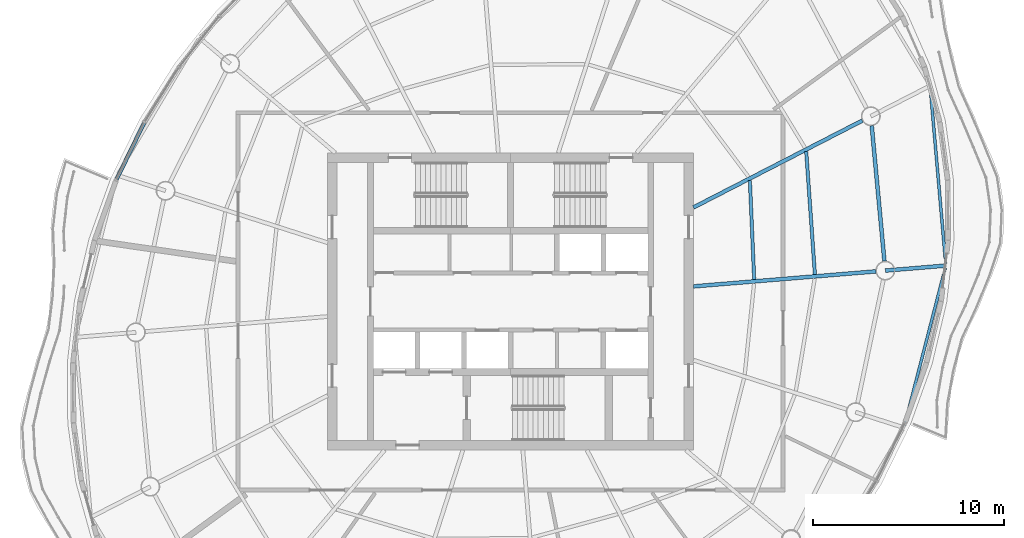
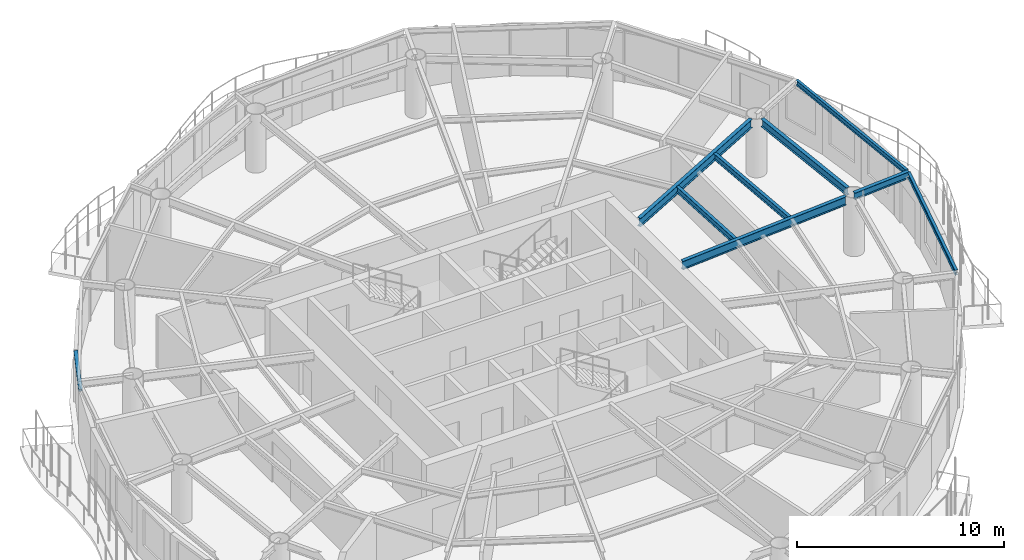
# One storey, part 4 of 14: 8 beams, 1 member, 1 element without a shape of its own.
"""IFC4 building model written with IfcOpenShell, lengths in metres."""

from ifc_helpers import new_model, si_unit, direction, frame, origin, origin_2d, place, context, subcontext, project, spatial, rectangle, i_section, extrude, material, material_profile, profile_set, type_object, element, aggregate, save


model = new_model("IFC4")

# Units and contexts
model_context = context("Model", 3, precision=1e-05, world=origin(), true_north=direction((0.0, 1.0)))
body_context = subcontext(model_context, "Body", "Model", "MODEL_VIEW")
ifc_project = project(units=[si_unit("LENGTHUNIT", "METRE"), si_unit("AREAUNIT", "SQUARE_METRE"), si_unit("VOLUMEUNIT", "CUBIC_METRE"), si_unit("PLANEANGLEUNIT", "RADIAN"), si_unit("MASSUNIT", "GRAM", prefix="KILO")], contexts=[model_context])

# Site, building, storey
site_placement = place(None, origin())
site = spatial("IfcSite", under=ifc_project, at=site_placement, CompositionType="ELEMENT")
building_placement = place(site_placement, origin())
building = spatial("IfcBuilding", under=site, at=building_placement, Name="Vermilion Reach Broadcast Tower", CompositionType="ELEMENT")
storey_placement = place(building_placement, frame((0.0, 0.0, 254.10009765625)))
storey = spatial("IfcBuildingStorey", under=building, at=storey_placement, Name="L62", CompositionType="ELEMENT", Elevation=254.10009765625)

# Beams
ifc_material_1 = material(Name="Steel S355J2", Category="steel")
ifc_material_profile_1 = material_profile(ifc_material_1, i_section(OverallWidth=0.14990234375, OverallDepth=0.300048828125, WebThickness=0.006591796875, FlangeThickness=0.009033203125, at=origin_2d()), Name="S355J2 HN 300x150x6.5x9")
ifc_profile_set_1 = profile_set([ifc_material_profile_1], Name="Steel S355J2")
beam_type_1 = type_object("IfcBeamType", Name="EB5 HN 300x150x6.5x9", PredefinedType="BEAM", material=ifc_profile_set_1)
beam_1_placement = place(storey_placement, frame((14.669189453125, -6.527099609375, 3.2998046875), z_axis=(0.250374544751, 0.968149052234, 0.0), x_axis=(-0.968149052234, 0.250374544751, 0.0)))
element("IfcBeam", 1, at=beam_1_placement, inside=storey, type_object=beam_type_1, Name="Edge beam EB5-13", PredefinedType="BEAM", context=body_context, shape_type="SweptSolid", body=[
    extrude(i_section(OverallWidth=0.14990234375, OverallDepth=0.300048828125, WebThickness=0.006591796875, FlangeThickness=0.009033203125, at=origin_2d()), origin(), (0.0, 0.0, 1.0), 8.579833984375),
])
beam_2_placement = place(storey_placement, frame((16.835205078125, 1.981689453125, 3.2998046875), z_axis=(-0.087425492139, 0.996171061276, 0.0), x_axis=(-0.996171061276, -0.087425492139, 0.0)))
element("IfcBeam", 2, at=beam_2_placement, inside=storey, type_object=beam_type_1, Name="Edge beam EB5-14", PredefinedType="BEAM", context=body_context, shape_type="SweptSolid", body=[
    extrude(i_section(OverallWidth=0.14990234375, OverallDepth=0.300048828125, WebThickness=0.006591796875, FlangeThickness=0.009033203125, at=origin_2d()), origin(), (0.0, 0.0, 1.0), 9.265625),
])
ifc_material_2 = material(Name="Steel S355J2", Category="steel")
ifc_material_profile_2 = material_profile(ifc_material_2, i_section(OverallWidth=0.199951171875, OverallDepth=0.5, WebThickness=0.010009765625, FlangeThickness=0.01611328125, at=origin_2d()), Name="S355J2 HN 500x200x10x16")
ifc_profile_set_2 = profile_set([ifc_material_profile_2], Name="Steel S355J2")
beam_type_2 = type_object("IfcBeamType", Name="G5 HN 500x200x10x16", PredefinedType="BEAM", material=ifc_profile_set_2)
beam_3_placement = place(storey_placement, frame((3.60009765625, 0.791015625, 3.199951171875), z_axis=(0.996624410075, 0.082096195058, 0.0), x_axis=(-0.082096195058, 0.996624410075, 0.0)))
element("IfcBeam", 3, at=beam_3_placement, inside=storey, type_object=beam_type_2, Name="Girder G5-14", PredefinedType="BEAM", context=body_context, shape_type="SweptSolid", body=[
    extrude(i_section(OverallWidth=0.199951171875, OverallDepth=0.5, WebThickness=0.010009765625, FlangeThickness=0.01611328125, at=origin_2d()), origin(), (0.0, 0.0, 1.0), 9.599609375),
])
beam_4_placement = place(storey_placement, frame((3.60009765625, 4.935791015625, 3.199951171875), z_axis=(0.889332502449, 0.457261085254, 0.0), x_axis=(-0.457261085254, 0.889332502449, 0.0)))
element("IfcBeam", 4, at=beam_4_placement, inside=storey, type_object=beam_type_2, Name="Girder G5-15", PredefinedType="BEAM", context=body_context, shape_type="SweptSolid", body=[
    extrude(i_section(OverallWidth=0.199951171875, OverallDepth=0.5, WebThickness=0.010009765625, FlangeThickness=0.01611328125, at=origin_2d()), origin(), (0.0, 0.0, 1.0), 9.96337890625),
])
ifc_material_3 = material(Name="Steel S355J2", Category="steel")
ifc_material_profile_3 = material_profile(ifc_material_3, i_section(OverallWidth=0.199951171875, OverallDepth=0.39990234375, WebThickness=0.008056640625, FlangeThickness=0.012939453125, at=origin_2d()), Name="S355J2 HN 400x200x8x13")
ifc_profile_set_3 = profile_set([ifc_material_profile_3], Name="Steel S355J2")
beam_type_3 = type_object("IfcBeamType", Name="GC5 HN 400x200x8x13", PredefinedType="BEAM", material=ifc_profile_set_3)
beam_5_placement = place(storey_placement, frame((13.665771484375, 1.620361328125, 3.25), z_axis=(0.996626590018, 0.082069726878, 0.0), x_axis=(-0.082069726878, 0.996626590018, 0.0)))
element("IfcBeam", 5, at=beam_5_placement, inside=storey, type_object=beam_type_3, Name="Cantilever girder GC5-14", PredefinedType="BEAM", context=body_context, shape_type="SweptSolid", body=[
    extrude(i_section(OverallWidth=0.199951171875, OverallDepth=0.39990234375, WebThickness=0.008056640625, FlangeThickness=0.012939453125, at=origin_2d()), origin(), (0.0, 0.0, 1.0), 3.18896484375),
])
ifc_material_4 = material(Name="Steel S355J2", Category="steel")
ifc_material_profile_4 = material_profile(ifc_material_4, i_section(OverallWidth=0.199951171875, OverallDepth=0.449951171875, WebThickness=0.009033203125, FlangeThickness=0.013916015625, at=origin_2d()), Name="S355J2 HN 450x200x9x14")
ifc_profile_set_4 = profile_set([ifc_material_profile_4], Name="Steel S355J2")
beam_type_4 = type_object("IfcBeamType", Name="RB5 HN 450x200x9x14", PredefinedType="BEAM", material=ifc_profile_set_4)
beam_6_placement = place(storey_placement, frame((13.618896484375, 2.1181640625, 3.224853515625), z_axis=(-0.093441399272, 0.995624781181, 0.0), x_axis=(-0.995624781181, -0.093441399272, 0.0)))
element("IfcBeam", 6, at=beam_6_placement, inside=storey, type_object=beam_type_4, Name="Ring beam RB5-14", PredefinedType="BEAM", context=body_context, shape_type="SweptSolid", body=[
    extrude(i_section(OverallWidth=0.199951171875, OverallDepth=0.449951171875, WebThickness=0.009033203125, FlangeThickness=0.013916015625, at=origin_2d()), origin(), (0.0, 0.0, 1.0), 7.135498046875),
])
ifc_material_5 = material(Name="Steel S355J2", Category="steel")
ifc_material_profile_5 = material_profile(ifc_material_5, i_section(OverallWidth=0.175048828125, OverallDepth=0.35009765625, WebThickness=0.007080078125, FlangeThickness=0.010986328125, at=origin_2d()), Name="S355J2 HN 350x175x7x11")
ifc_profile_set_5 = profile_set([ifc_material_profile_5], Name="Steel S355J2")
beam_type_5 = type_object("IfcBeamType", Name="SB5 HN 350x175x7x11", PredefinedType="BEAM", material=ifc_profile_set_5)
beam_7_placement = place(storey_placement, frame((6.78466796875, 1.153564453125, 3.27490234375), z_axis=(-0.043557530017, 0.999050920413, 0.0), x_axis=(-0.999050920413, -0.043557530017, 0.0)))
element("IfcBeam", 7, at=beam_7_placement, inside=storey, type_object=beam_type_5, Name="Secondary beam SB5-14-1", PredefinedType="BEAM", context=body_context, shape_type="SweptSolid", body=[
    extrude(i_section(OverallWidth=0.175048828125, OverallDepth=0.35009765625, WebThickness=0.007080078125, FlangeThickness=0.010986328125, at=origin_2d()), origin(), (0.0, 0.0, 1.0), 5.19580078125),
])
beam_8_placement = place(storey_placement, frame((9.97119140625, 1.416259765625, 3.27490234375), z_axis=(-0.070586780458, 0.997505642302, 0.0), x_axis=(-0.997505642302, -0.070586780458, 0.0)))
element("IfcBeam", 8, at=beam_8_placement, inside=storey, type_object=beam_type_5, Name="Secondary beam SB5-14-2", PredefinedType="BEAM", context=body_context, shape_type="SweptSolid", body=[
    extrude(i_section(OverallWidth=0.175048828125, OverallDepth=0.35009765625, WebThickness=0.007080078125, FlangeThickness=0.010986328125, at=origin_2d()), origin(), (0.0, 0.0, 1.0), 6.46435546875),
])

# Curtain wall, member
ifc_material_6 = material(Name="Low-e laminated clear glass in aluminium frame", Category="aluminium")
curtain_wall_type = type_object("IfcCurtainWallType", Name="Slot curtain wall", PredefinedType="NOTDEFINED", material=ifc_material_6)
curtain_wall_placement = place(storey_placement, origin())
curtain_wall = element("IfcCurtainWall", 9, at=curtain_wall_placement, inside=storey, type_object=curtain_wall_type, Name="Slot curtain wall L62 13", PredefinedType="NOTDEFINED")
ifc_material_7 = material(Name="Anodised aluminium", Category="aluminium")
ifc_material_profile_6 = material_profile(ifc_material_7, rectangle(XDim=0.199951171875, YDim=0.10009765625, at=origin_2d()), Name="Slot transom 200 x 100")
ifc_profile_set_6 = profile_set([ifc_material_profile_6], Name="Anodised aluminium")
member_type = type_object("IfcMemberType", Name="Slot transom 200 x 100", PredefinedType="USERDEFINED", material=ifc_profile_set_6)
member_placement = place(storey_placement, frame((-25.227294921875, 9.37939453125, 3.0), z_axis=(-0.438766133, -0.898601291192, 0.0), x_axis=(0.898601291192, -0.438766133, 0.0)))
member = element("IfcMember", 10, at=member_placement, type_object=member_type, Name="Slot transom L62 13.1", ObjectType="TRANSOM", PredefinedType="USERDEFINED", context=body_context, shape_type="SweptSolid", body=[
    extrude(rectangle(XDim=0.199951171875, YDim=0.10009765625, at=origin_2d()), origin(), (0.0, 0.0, 1.0), 3.31396484375),
])
aggregate(curtain_wall, [member])

save(model, "model.ifc")
